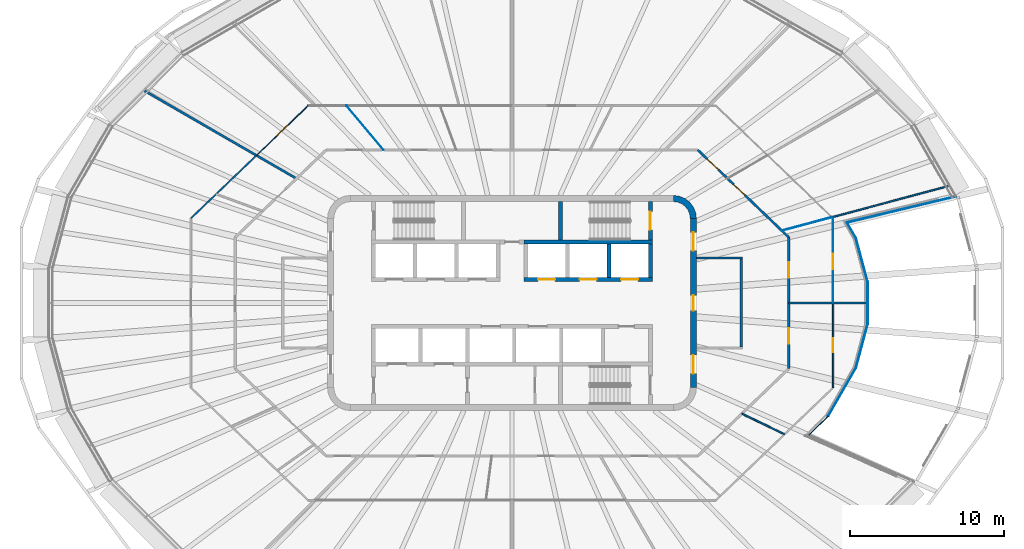
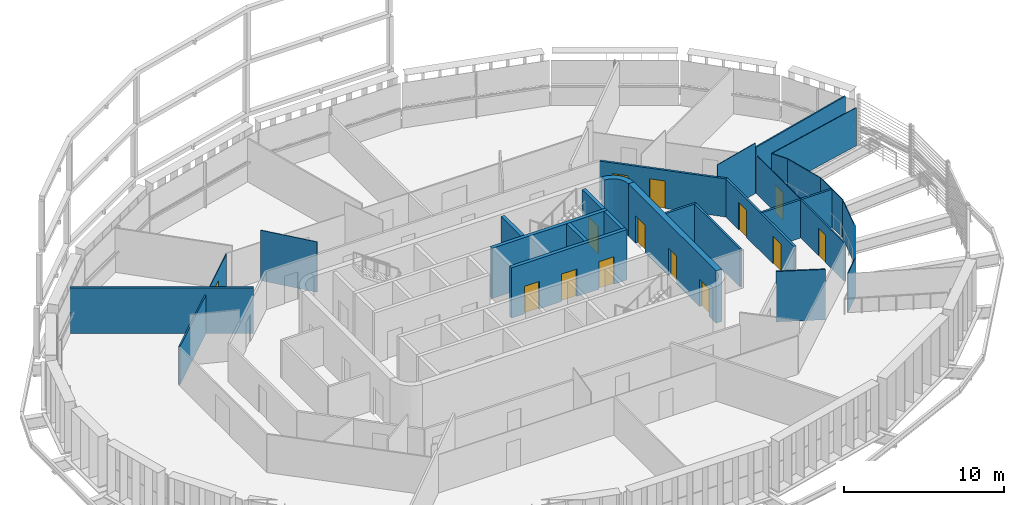
# One storey, part 12 of 21: 29 walls, 14 doors, 14 openings.
"""IFC4 building model written with IfcOpenShell, lengths in metres."""

from ifc_helpers import new_model, si_unit, direction, frame, frame_2d, origin, place, context, subcontext, project, spatial, polyline, rectangle, outline, extrude, material, layer, layer_set, type_object, element, fill, save


model = new_model("IFC4")

# Units and contexts
model_context = context("Model", 3, precision=1e-05, world=origin(), true_north=direction((0.0, 1.0)))
body_context = subcontext(model_context, "Body", "Model", "MODEL_VIEW")
ifc_project = project(units=[si_unit("LENGTHUNIT", "METRE"), si_unit("AREAUNIT", "SQUARE_METRE"), si_unit("VOLUMEUNIT", "CUBIC_METRE"), si_unit("PLANEANGLEUNIT", "RADIAN"), si_unit("MASSUNIT", "GRAM", prefix="KILO")], contexts=[model_context])

# Site, building, storey
site_placement = place(None, origin())
site = spatial("IfcSite", under=ifc_project, at=site_placement, CompositionType="ELEMENT")
building_placement = place(site_placement, origin())
building = spatial("IfcBuilding", under=site, at=building_placement, Name="Sahrelin Media Tower", CompositionType="ELEMENT")
storey_placement = place(building_placement, frame((0.0, 0.0, 263.0)))
storey = spatial("IfcBuildingStorey", under=building, at=storey_placement, Name="L57", CompositionType="ELEMENT", Elevation=263.0)

# Wall, openings, doors
ifc_material_1 = material(Name="Concrete C60/75", Category="concrete")
ifc_layer_1 = layer(ifc_material_1, 0.39990234375)
ifc_layer_set_1 = layer_set([ifc_layer_1], Name="Core wall 400")
wall_type_1 = type_object("IfcWallType", Name="Core wall 400", PredefinedType="SHEAR", material=ifc_layer_set_1)
wall_1_placement = place(storey_placement, frame((11.800048828125, -5.5, 0.0), z_axis=(0.0, 0.0, 1.0), x_axis=(0.0, 1.0, 0.0)))
wall_1 = element("IfcWall", 1, at=wall_1_placement, inside=storey, type_object=wall_type_1, Name="Core wall E L57", PredefinedType="SHEAR", context=body_context, shape_type="SweptSolid", body=[
    extrude(rectangle(XDim=11.0, YDim=0.39990234375, at=frame_2d((5.5, 0.0))), origin(), (0.0, 0.0, 1.0), 4.0),
])
opening_1_placement = place(wall_1_placement, frame((5.0, 0.0, 0.0)))
opening_1 = element("IfcOpeningElement", 2, at=opening_1_placement, cuts=wall_1, Name="Opening L57-D10", PredefinedType="OPENING", context=body_context, shape_type="SweptSolid", body=[
    extrude(rectangle(XDim=1.0, YDim=2.10009765625, at=frame_2d((0.5, 1.050048828125))), frame((0.0, 0.199951171875, 0.0), z_axis=(0.0, -1.0, 0.0), x_axis=(1.0, 0.0, 0.0)), (0.0, 0.0, 1.0), 0.39990234375),
])
opening_2_placement = place(wall_1_placement, frame((0.89990234375, 0.0, 0.0)))
opening_2 = element("IfcOpeningElement", 3, at=opening_2_placement, cuts=wall_1, Name="Opening L57-D13", PredefinedType="OPENING", context=body_context, shape_type="SweptSolid", body=[
    extrude(rectangle(XDim=1.199951171875, YDim=2.10009765625, at=frame_2d((0.60009765625, 1.050048828125))), frame((0.0, 0.199951171875, 0.0), z_axis=(0.0, -1.0, 0.0), x_axis=(1.0, 0.0, 0.0)), (0.0, 0.0, 1.0), 0.39990234375),
])
opening_3_placement = place(wall_1_placement, frame((8.89990234375, 0.0, 0.0)))
opening_3 = element("IfcOpeningElement", 4, at=opening_3_placement, cuts=wall_1, Name="Opening L57-D14", PredefinedType="OPENING", context=body_context, shape_type="SweptSolid", body=[
    extrude(rectangle(XDim=1.199951171875, YDim=2.10009765625, at=frame_2d((0.60009765625, 1.050048828125))), frame((0.0, 0.199951171875, 0.0), z_axis=(0.0, -1.0, 0.0), x_axis=(1.0, 0.0, 0.0)), (0.0, 0.0, 1.0), 0.39990234375),
])
ifc_material_2 = material(Name="Steel fire door leaf", Category="steel")
door_type_1 = type_object("IfcDoorType", Name="Fire door 1000 x 2100 EI 60", OperationType="NOTDEFINED", PredefinedType="DOOR", material=ifc_material_2)
door_1_placement = place(opening_1_placement, origin())
door_1 = element("IfcDoor", 5, at=door_1_placement, inside=storey, type_object=door_type_1, Name="Core room door", OperationType="SINGLE_SWING_RIGHT", OverallHeight=2.10009765625, OverallWidth=1.0, PredefinedType="DOOR", context=body_context, shape_type="SweptSolid", body=[
    extrude(rectangle(XDim=1.0, YDim=2.10009765625, at=frame_2d((0.5, 1.050048828125))), frame((0.0, 0.02490234375, 0.0), z_axis=(0.0, -1.0, 0.0), x_axis=(1.0, 0.0, 0.0)), (0.0, 0.0, 1.0), 0.050048828125),
])
fill(opening_1, door_1)
door_type_2 = type_object("IfcDoorType", Name="Lobby door 1200 x 2100 EI 60", OperationType="NOTDEFINED", PredefinedType="DOOR", material=ifc_material_2)
door_2_placement = place(opening_2_placement, origin())
door_2 = element("IfcDoor", 6, at=door_2_placement, inside=storey, type_object=door_type_2, Name="Lobby door", OperationType="SINGLE_SWING_LEFT", OverallHeight=2.10009765625, OverallWidth=1.199951171875, PredefinedType="DOOR", context=body_context, shape_type="SweptSolid", body=[
    extrude(rectangle(XDim=1.199951171875, YDim=2.10009765625, at=frame_2d((0.60009765625, 1.050048828125))), frame((0.0, 0.02490234375, 0.0), z_axis=(0.0, -1.0, 0.0), x_axis=(1.0, 0.0, 0.0)), (0.0, 0.0, 1.0), 0.050048828125),
])
fill(opening_2, door_2)
door_3_placement = place(opening_3_placement, origin())
door_3 = element("IfcDoor", 7, at=door_3_placement, inside=storey, type_object=door_type_2, Name="Lobby door", OperationType="SINGLE_SWING_LEFT", OverallHeight=2.10009765625, OverallWidth=1.199951171875, PredefinedType="DOOR", context=body_context, shape_type="SweptSolid", body=[
    extrude(rectangle(XDim=1.199951171875, YDim=2.10009765625, at=frame_2d((0.60009765625, 1.050048828125))), frame((0.0, 0.02490234375, 0.0), z_axis=(0.0, -1.0, 0.0), x_axis=(1.0, 0.0, 0.0)), (0.0, 0.0, 1.0), 0.050048828125),
])
fill(opening_3, door_3)

# Walls
wall_2_placement = place(storey_placement, origin())
element("IfcWall", 8, at=wall_2_placement, inside=storey, type_object=wall_type_1, Name="Core wall corner NE L57", PredefinedType="SHEAR", context=body_context, shape_type="SweptSolid", body=[
    extrude(outline(polyline([(10.5, 7.0), (10.5, 6.596435546875), (10.78369140625, 6.55908203125), (11.04833984375, 6.44970703125), (11.275390625, 6.275390625), (11.44970703125, 6.04833984375), (11.55908203125, 5.78369140625), (11.596435546875, 5.5), (12.0, 5.5), (11.948974609375, 5.88818359375), (11.799072265625, 6.25), (11.560791015625, 6.560791015625), (11.25, 6.799072265625), (10.88818359375, 6.948974609375), (10.5, 7.0)])), origin(), (0.0, 0.0, 1.0), 4.0),
])
ifc_material_3 = material(Name="Fire-rated gypsum board partition")
ifc_layer_2 = layer(ifc_material_3, 0.14990234375)
ifc_layer_set_2 = layer_set([ifc_layer_2], Name="Fire-rated partition 150")
wall_type_2 = type_object("IfcWallType", Name="Fire-rated partition 150", PredefinedType="PARTITIONING", material=ifc_layer_set_2)
wall_3_placement = place(storey_placement, frame((14.925048828125, -2.85009765625, 0.0), z_axis=(0.0, 0.0, 1.0), x_axis=(0.0, 1.0, 0.0)))
element("IfcWall", 9, at=wall_3_placement, inside=storey, type_object=wall_type_2, Name="Core room fire partition", PredefinedType="PARTITIONING", context=body_context, shape_type="SweptSolid", body=[
    extrude(rectangle(XDim=5.7001953125, YDim=0.14990234375, at=frame_2d((2.85009765625, 0.0))), origin(), (0.0, 0.0, 1.0), 2.918212890625),
])
wall_4_placement = place(storey_placement, frame((12.0, 2.925048828125, 0.0), z_axis=(0.0, 0.0, 1.0), x_axis=(1.0, 0.0, 0.0)))
element("IfcWall", 10, at=wall_4_placement, inside=storey, type_object=wall_type_2, Name="Core room fire partition", PredefinedType="PARTITIONING", context=body_context, shape_type="SweptSolid", body=[
    extrude(rectangle(XDim=3.0, YDim=0.14990234375, at=frame_2d((1.5, 0.0))), origin(), (0.0, 0.0, 1.0), 2.918212890625),
])

# Wall, openings, doors
wall_5_placement = place(storey_placement, frame((12.094970703125, 9.948974609375, 0.0), z_axis=(0.0, 0.0, 1.0), x_axis=(0.721290181137, -0.692633001376, 0.0)))
wall_5 = element("IfcWall", 11, at=wall_5_placement, inside=storey, type_object=wall_type_2, Name="Wall", PredefinedType="PARTITIONING", context=body_context, shape_type="SweptSolid", body=[
    extrude(rectangle(XDim=8.18701171875, YDim=0.14990234375, at=frame_2d((4.093505859375, 0.0))), origin(), (0.0, 0.0, 1.0), 2.918212890625),
])
opening_4_placement = place(wall_5_placement, frame((3.232177734375, 0.0, 0.0)))
opening_4 = element("IfcOpeningElement", 12, at=opening_4_placement, cuts=wall_5, Name="Opening L57-D35", PredefinedType="OPENING", context=body_context, shape_type="SweptSolid", body=[
    extrude(rectangle(XDim=1.0, YDim=2.10009765625, at=frame_2d((0.5, 1.050048828125))), frame((0.0, 0.074951171875, 0.0), z_axis=(0.0, -1.0, 0.0), x_axis=(1.0, 0.0, 0.0)), (0.0, 0.0, 1.0), 0.14990234375),
])
opening_5_placement = place(wall_5_placement, frame((0.838623046875, 0.0, 0.0)))
opening_5 = element("IfcOpeningElement", 13, at=opening_5_placement, cuts=wall_5, Name="Opening L57-D36", PredefinedType="OPENING", context=body_context, shape_type="SweptSolid", body=[
    extrude(rectangle(XDim=1.0, YDim=2.10009765625, at=frame_2d((0.5, 1.050048828125))), frame((0.0, 0.074951171875, 0.0), z_axis=(0.0, -1.0, 0.0), x_axis=(1.0, 0.0, 0.0)), (0.0, 0.0, 1.0), 0.14990234375),
])
door_4_placement = place(opening_4_placement, origin())
door_4 = element("IfcDoor", 14, at=door_4_placement, inside=storey, type_object=door_type_1, Name="Fire door", OperationType="SINGLE_SWING_LEFT", OverallHeight=2.10009765625, OverallWidth=1.0, PredefinedType="DOOR", context=body_context, shape_type="SweptSolid", body=[
    extrude(rectangle(XDim=1.0, YDim=2.10009765625, at=frame_2d((0.5, 1.050048828125))), frame((0.0, 0.02490234375, 0.0), z_axis=(0.0, -1.0, 0.0), x_axis=(1.0, 0.0, 0.0)), (0.0, 0.0, 1.0), 0.050048828125),
])
fill(opening_4, door_4)
door_5_placement = place(opening_5_placement, origin())
door_5 = element("IfcDoor", 15, at=door_5_placement, inside=storey, type_object=door_type_1, Name="Fire door", OperationType="SINGLE_SWING_LEFT", OverallHeight=2.10009765625, OverallWidth=1.0, PredefinedType="DOOR", context=body_context, shape_type="SweptSolid", body=[
    extrude(rectangle(XDim=1.0, YDim=2.10009765625, at=frame_2d((0.5, 1.050048828125))), frame((0.0, 0.02490234375, 0.0), z_axis=(0.0, -1.0, 0.0), x_axis=(1.0, 0.0, 0.0)), (0.0, 0.0, 1.0), 0.050048828125),
])
fill(opening_5, door_5)

# Walls
wall_6_placement = place(storey_placement, frame((-23.97607421875, 13.843017578125, 0.0), z_axis=(0.0, 0.0, 1.0), x_axis=(0.866017183011, -0.500014238528, 0.0)))
element("IfcWall", 16, at=wall_6_placement, inside=storey, type_object=wall_type_2, Name="Wall", PredefinedType="PARTITIONING", context=body_context, shape_type="SweptSolid", body=[
    extrude(rectangle(XDim=11.491943359375, YDim=0.14990234375, at=frame_2d((5.74609375, 0.0))), origin(), (0.0, 0.0, 1.0), 3.47509765625),
])
wall_7_placement = place(storey_placement, frame((18.0, 0.0, 0.0), z_axis=(0.0, 0.0, 1.0), x_axis=(1.0, 0.0, 0.0)))
element("IfcWall", 17, at=wall_7_placement, inside=storey, type_object=wall_type_2, Name="Wall", PredefinedType="PARTITIONING", context=body_context, shape_type="SweptSolid", body=[
    extrude(rectangle(XDim=5.138916015625, YDim=0.14990234375, at=frame_2d((2.5693359375, 0.0))), origin(), (0.0, 0.0, 1.0), 2.918212890625),
])

# Wall, openings, doors
wall_8_placement = place(storey_placement, frame((18.0, -4.278076171875, 0.0), z_axis=(0.0, 0.0, 1.0), x_axis=(0.0, 1.0, 0.0)))
wall_8 = element("IfcWall", 18, at=wall_8_placement, inside=storey, type_object=wall_type_2, Name="Wall", PredefinedType="PARTITIONING", context=body_context, shape_type="SweptSolid", body=[
    extrude(rectangle(XDim=8.55615234375, YDim=0.14990234375, at=frame_2d((4.278076171875, 0.0))), origin(), (0.0, 0.0, 1.0), 2.918212890625),
])
opening_6_placement = place(wall_8_placement, frame((1.638916015625, 0.0, 0.0)))
opening_6 = element("IfcOpeningElement", 19, at=opening_6_placement, cuts=wall_8, Name="Opening L57-D32", PredefinedType="OPENING", context=body_context, shape_type="SweptSolid", body=[
    extrude(rectangle(XDim=1.0, YDim=2.10009765625, at=frame_2d((0.5, 1.050048828125))), frame((0.0, 0.074951171875, 0.0), z_axis=(0.0, -1.0, 0.0), x_axis=(1.0, 0.0, 0.0)), (0.0, 0.0, 1.0), 0.14990234375),
])
opening_7_placement = place(wall_8_placement, frame((5.9169921875, 0.0, 0.0)))
opening_7 = element("IfcOpeningElement", 20, at=opening_7_placement, cuts=wall_8, Name="Opening L57-D34", PredefinedType="OPENING", context=body_context, shape_type="SweptSolid", body=[
    extrude(rectangle(XDim=1.0, YDim=2.10009765625, at=frame_2d((0.5, 1.050048828125))), frame((0.0, 0.074951171875, 0.0), z_axis=(0.0, -1.0, 0.0), x_axis=(1.0, 0.0, 0.0)), (0.0, 0.0, 1.0), 0.14990234375),
])
door_6_placement = place(opening_6_placement, origin())
door_6 = element("IfcDoor", 21, at=door_6_placement, inside=storey, type_object=door_type_1, Name="Fire door", OperationType="SINGLE_SWING_RIGHT", OverallHeight=2.10009765625, OverallWidth=1.0, PredefinedType="DOOR", context=body_context, shape_type="SweptSolid", body=[
    extrude(rectangle(XDim=1.0, YDim=2.10009765625, at=frame_2d((0.5, 1.050048828125))), frame((0.0, 0.02490234375, 0.0), z_axis=(0.0, -1.0, 0.0), x_axis=(1.0, 0.0, 0.0)), (0.0, 0.0, 1.0), 0.050048828125),
])
fill(opening_6, door_6)
door_7_placement = place(opening_7_placement, origin())
door_7 = element("IfcDoor", 22, at=door_7_placement, inside=storey, type_object=door_type_1, Name="Fire door", OperationType="SINGLE_SWING_LEFT", OverallHeight=2.10009765625, OverallWidth=1.0, PredefinedType="DOOR", context=body_context, shape_type="SweptSolid", body=[
    extrude(rectangle(XDim=1.0, YDim=2.10009765625, at=frame_2d((0.5, 1.050048828125))), frame((0.0, 0.02490234375, 0.0), z_axis=(0.0, -1.0, 0.0), x_axis=(1.0, 0.0, 0.0)), (0.0, 0.0, 1.0), 0.050048828125),
])
fill(opening_7, door_7)

# Walls
ifc_material_4 = material(Name="Clear glass", Category="glass")
ifc_layer_3 = layer(ifc_material_4, 0.050048828125)
ifc_layer_set_3 = layer_set([ifc_layer_3], Name="Glazed partition 50")
wall_type_3 = type_object("IfcWallType", Name="Glazed partition 50", PredefinedType="PARTITIONING", material=ifc_layer_set_3)
wall_9_placement = place(storey_placement, frame((22.3740234375, 4.22900390625, 0.0), z_axis=(0.0, 0.0, 1.0), x_axis=(0.258871000297, -0.965911903439, 0.0)))
element("IfcWall", 23, at=wall_9_placement, inside=storey, type_object=wall_type_3, Name="Wall", PredefinedType="PARTITIONING", context=body_context, shape_type="SweptSolid", body=[
    extrude(rectangle(XDim=2.954833984375, YDim=0.050048828125, at=frame_2d((1.4775390625, 0.0))), origin(), (0.0, 0.0, 1.0), 2.918212890625),
])
wall_10_placement = place(storey_placement, frame((21.797119140625, 5.22802734375, 0.0), z_axis=(0.0, 0.0, 1.0), x_axis=(0.500076612374, -0.865981167091, 0.0)))
element("IfcWall", 24, at=wall_10_placement, inside=storey, type_object=wall_type_3, Name="Wall", PredefinedType="PARTITIONING", context=body_context, shape_type="SweptSolid", body=[
    extrude(rectangle(XDim=1.153564453125, YDim=0.050048828125, at=frame_2d((0.57666015625, 0.0))), origin(), (0.0, 0.0, 1.0), 2.918212890625),
])
wall_11_placement = place(storey_placement, frame((-10.77294921875, 12.839111328125, 0.0), z_axis=(0.0, 0.0, 1.0), x_axis=(0.642777681898, -0.766052773413, 0.0)))
element("IfcWall", 25, at=wall_11_placement, inside=storey, type_object=wall_type_3, Name="Wall", PredefinedType="PARTITIONING", context=body_context, shape_type="SweptSolid", body=[
    extrude(rectangle(XDim=3.772705078125, YDim=0.050048828125, at=frame_2d((1.88623046875, 0.0))), origin(), (0.0, 0.0, 1.0), 3.85009765625),
])
wall_12_placement = place(storey_placement, frame((21.797119140625, 5.22802734375, 0.0), z_axis=(0.0, 0.0, 1.0), x_axis=(0.972420983146, 0.233232569631, 0.0)))
element("IfcWall", 26, at=wall_12_placement, inside=storey, type_object=wall_type_3, Name="Wall", PredefinedType="PARTITIONING", context=body_context, shape_type="SweptSolid", body=[
    extrude(rectangle(XDim=7.30126953125, YDim=0.050048828125, at=frame_2d((3.650634765625, 0.0))), origin(), (0.0, 0.0, 1.0), 2.918212890625),
])
wall_13_placement = place(storey_placement, frame((17.555908203125, 4.7041015625, 0.0), z_axis=(0.0, 0.0, 1.0), x_axis=(0.965949987261, 0.258728858285, 0.0)))
element("IfcWall", 27, at=wall_13_placement, inside=storey, type_object=wall_type_3, Name="Wall", PredefinedType="PARTITIONING", context=body_context, shape_type="SweptSolid", body=[
    extrude(rectangle(XDim=3.377197265625, YDim=0.050048828125, at=frame_2d((1.6884765625, 0.0))), origin(), (0.0, 0.0, 1.0), 3.85009765625),
])

# Wall, opening, door
wall_14_placement = place(storey_placement, frame((-16.62890625, 9.60107421875, 0.0), z_axis=(0.0, 0.0, 1.0), x_axis=(0.721171224294, 0.692756858681, 0.0)))
wall_14 = element("IfcWall", 28, at=wall_14_placement, inside=storey, type_object=wall_type_3, Name="Wall", PredefinedType="PARTITIONING", context=body_context, shape_type="SweptSolid", body=[
    extrude(rectangle(XDim=4.674072265625, YDim=0.050048828125, at=frame_2d((2.3369140625, 0.0))), origin(), (0.0, 0.0, 1.0), 2.927001953125),
])
opening_8_placement = place(wall_14_placement, frame((1.837158203125, 0.0, 0.0)))
opening_8 = element("IfcOpeningElement", 29, at=opening_8_placement, cuts=wall_14, Name="Opening L57-D20", PredefinedType="OPENING", context=body_context, shape_type="SweptSolid", body=[
    extrude(rectangle(XDim=1.0, YDim=2.10009765625, at=frame_2d((0.5, 1.050048828125))), frame((0.0, 0.02490234375, 0.0), z_axis=(0.0, -1.0, 0.0), x_axis=(1.0, 0.0, 0.0)), (0.0, 0.0, 1.0), 0.050048828125),
])
door_type_3 = type_object("IfcDoorType", Name="Glazed door 1000 x 2100", OperationType="NOTDEFINED", PredefinedType="DOOR", material=ifc_material_4)
door_8_placement = place(opening_8_placement, origin())
door_8 = element("IfcDoor", 30, at=door_8_placement, inside=storey, type_object=door_type_3, Name="Glazed door", OperationType="SINGLE_SWING_LEFT", OverallHeight=2.10009765625, OverallWidth=1.0, PredefinedType="DOOR", context=body_context, shape_type="SweptSolid", body=[
    extrude(rectangle(XDim=1.0, YDim=2.10009765625, at=frame_2d((0.5, 1.050048828125))), frame((0.0, 0.02490234375, 0.0), z_axis=(0.0, -1.0, 0.0), x_axis=(1.0, 0.0, 0.0)), (0.0, 0.0, 1.0), 0.049560546875),
])
fill(opening_8, door_8)

# Walls
wall_15_placement = place(storey_placement, frame((19.324951171875, -8.593994140625, 0.0), z_axis=(0.0, 0.0, 1.0), x_axis=(0.707106781187, 0.707106781187, 0.0)))
element("IfcWall", 31, at=wall_15_placement, inside=storey, type_object=wall_type_3, Name="Wall", PredefinedType="PARTITIONING", context=body_context, shape_type="SweptSolid", body=[
    extrude(rectangle(XDim=1.76904296875, YDim=0.050048828125, at=frame_2d((0.884521484375, 0.0))), origin(), (0.0, 0.0, 1.0), 2.9951171875),
])
wall_16_placement = place(storey_placement, frame((20.575927734375, -7.343017578125, 0.0), z_axis=(0.0, 0.0, 1.0), x_axis=(0.500045691691, 0.865999022067, 0.0)))
element("IfcWall", 32, at=wall_16_placement, inside=storey, type_object=wall_type_3, Name="Wall", PredefinedType="PARTITIONING", context=body_context, shape_type="SweptSolid", body=[
    extrude(rectangle(XDim=3.595947265625, YDim=0.050048828125, at=frame_2d((1.7978515625, 0.0))), origin(), (0.0, 0.0, 1.0), 2.918212890625),
])
wall_17_placement = place(storey_placement, frame((22.3740234375, -4.22900390625, 0.0), z_axis=(0.0, 0.0, 1.0), x_axis=(0.258871000297, 0.965911903439, 0.0)))
element("IfcWall", 33, at=wall_17_placement, inside=storey, type_object=wall_type_3, Name="Wall", PredefinedType="PARTITIONING", context=body_context, shape_type="SweptSolid", body=[
    extrude(rectangle(XDim=2.954833984375, YDim=0.050048828125, at=frame_2d((1.4775390625, 0.0))), origin(), (0.0, 0.0, 1.0), 2.918212890625),
])
wall_18_placement = place(storey_placement, frame((23.138916015625, -1.375, 0.0), z_axis=(0.0, 0.0, 1.0), x_axis=(0.0, 1.0, 0.0)))
element("IfcWall", 34, at=wall_18_placement, inside=storey, type_object=wall_type_3, Name="Wall", PredefinedType="PARTITIONING", context=body_context, shape_type="SweptSolid", body=[
    extrude(rectangle(XDim=2.75, YDim=0.050048828125, at=frame_2d((1.375, 0.0))), origin(), (0.0, 0.0, 1.0), 2.918212890625),
])

# Wall, opening, door
wall_19_placement = place(storey_placement, frame((20.889892578125, 0.0, 0.0), z_axis=(0.0, 0.0, 1.0), x_axis=(0.0, 1.0, 0.0)))
wall_19 = element("IfcWall", 35, at=wall_19_placement, inside=storey, type_object=wall_type_3, Name="Wall", PredefinedType="PARTITIONING", context=body_context, shape_type="SweptSolid", body=[
    extrude(rectangle(XDim=5.509033203125, YDim=0.050048828125, at=frame_2d((2.75439453125, 0.0))), origin(), (0.0, 0.0, 1.0), 2.918212890625),
])
opening_9_placement = place(wall_19_placement, frame((2.204345703125, 0.0, 0.0)))
opening_9 = element("IfcOpeningElement", 36, at=opening_9_placement, cuts=wall_19, Name="Opening L57-D37", PredefinedType="OPENING", context=body_context, shape_type="SweptSolid", body=[
    extrude(rectangle(XDim=1.0, YDim=2.10009765625, at=frame_2d((0.5, 1.050048828125))), frame((0.0, 0.02490234375, 0.0), z_axis=(0.0, -1.0, 0.0), x_axis=(1.0, 0.0, 0.0)), (0.0, 0.0, 1.0), 0.050048828125),
])
door_9_placement = place(opening_9_placement, origin())
door_9 = element("IfcDoor", 37, at=door_9_placement, inside=storey, type_object=door_type_3, Name="Glazed door", OperationType="SINGLE_SWING_RIGHT", OverallHeight=2.10009765625, OverallWidth=1.0, PredefinedType="DOOR", context=body_context, shape_type="SweptSolid", body=[
    extrude(rectangle(XDim=1.0, YDim=2.10009765625, at=frame_2d((0.5, 1.050048828125))), frame((0.0, 0.02490234375, 0.0), z_axis=(0.0, -1.0, 0.0), x_axis=(1.0, 0.0, 0.0)), (0.0, 0.0, 1.0), 0.049560546875),
])
fill(opening_9, door_9)

# Wall, openings, doors
ifc_layer_4 = layer(ifc_material_1, 0.25)
ifc_layer_set_4 = layer_set([ifc_layer_4], Name="Lift shaft wall 250")
wall_type_4 = type_object("IfcWallType", Name="Lift shaft wall 250", PredefinedType="SOLIDWALL", material=ifc_layer_set_4)
wall_20_placement = place(storey_placement, frame((0.77490234375, 1.52490234375, 0.0), z_axis=(0.0, 0.0, 1.0), x_axis=(1.0, 0.0, 0.0)))
wall_20 = element("IfcWall", 38, at=wall_20_placement, inside=storey, type_object=wall_type_4, Name="Lift shaft wall", PredefinedType="SOLIDWALL", context=body_context, shape_type="SweptSolid", body=[
    extrude(rectangle(XDim=8.35009765625, YDim=0.25, at=frame_2d((4.175048828125, 0.0))), origin(), (0.0, 0.0, 1.0), 3.85009765625),
])
opening_10_placement = place(wall_20_placement, frame((0.925048828125, 0.0, 0.0)))
opening_10 = element("IfcOpeningElement", 39, at=opening_10_placement, cuts=wall_20, Name="Opening L57-LD-HR4", PredefinedType="OPENING", context=body_context, shape_type="SweptSolid", body=[
    extrude(rectangle(XDim=1.10009765625, YDim=2.10009765625, at=frame_2d((0.550048828125, 1.050048828125))), frame((0.0, 0.125, 0.0), z_axis=(0.0, -1.0, 0.0), x_axis=(1.0, 0.0, 0.0)), (0.0, 0.0, 1.0), 0.25),
])
opening_11_placement = place(wall_20_placement, frame((3.625, 0.0, 0.0)))
opening_11 = element("IfcOpeningElement", 40, at=opening_11_placement, cuts=wall_20, Name="Opening L57-LD-HR5", PredefinedType="OPENING", context=body_context, shape_type="SweptSolid", body=[
    extrude(rectangle(XDim=1.10009765625, YDim=2.10009765625, at=frame_2d((0.550048828125, 1.050048828125))), frame((0.0, 0.125, 0.0), z_axis=(0.0, -1.0, 0.0), x_axis=(1.0, 0.0, 0.0)), (0.0, 0.0, 1.0), 0.25),
])
opening_12_placement = place(wall_20_placement, frame((6.324951171875, 0.0, 0.0)))
opening_12 = element("IfcOpeningElement", 41, at=opening_12_placement, cuts=wall_20, Name="Opening L57-LD-HR6", PredefinedType="OPENING", context=body_context, shape_type="SweptSolid", body=[
    extrude(rectangle(XDim=1.10009765625, YDim=2.10009765625, at=frame_2d((0.550048828125, 1.050048828125))), frame((0.0, 0.125, 0.0), z_axis=(0.0, -1.0, 0.0), x_axis=(1.0, 0.0, 0.0)), (0.0, 0.0, 1.0), 0.25),
])
ifc_material_5 = material(Name="Stainless steel", Category="steel")
door_type_4 = type_object("IfcDoorType", Name="Lift landing door 1100 x 2100 EI 120", OperationType="DOUBLE_DOOR_SLIDING", PredefinedType="DOOR", material=ifc_material_5)
door_10_placement = place(opening_10_placement, origin())
door_10 = element("IfcDoor", 42, at=door_10_placement, inside=storey, type_object=door_type_4, Name="Lift landing door HR4", OperationType="DOUBLE_DOOR_SLIDING", OverallHeight=2.10009765625, OverallWidth=1.10009765625, PredefinedType="DOOR", context=body_context, shape_type="SweptSolid", body=[
    extrude(rectangle(XDim=1.10009765625, YDim=2.10009765625, at=frame_2d((0.550048828125, 1.050048828125))), frame((0.0, 0.02490234375, 0.0), z_axis=(0.0, -1.0, 0.0), x_axis=(1.0, 0.0, 0.0)), (0.0, 0.0, 1.0), 0.050048828125),
])
fill(opening_10, door_10)
door_11_placement = place(opening_11_placement, origin())
door_11 = element("IfcDoor", 43, at=door_11_placement, inside=storey, type_object=door_type_4, Name="Lift landing door HR5", OperationType="DOUBLE_DOOR_SLIDING", OverallHeight=2.10009765625, OverallWidth=1.10009765625, PredefinedType="DOOR", context=body_context, shape_type="SweptSolid", body=[
    extrude(rectangle(XDim=1.10009765625, YDim=2.10009765625, at=frame_2d((0.550048828125, 1.050048828125))), frame((0.0, 0.02490234375, 0.0), z_axis=(0.0, -1.0, 0.0), x_axis=(1.0, 0.0, 0.0)), (0.0, 0.0, 1.0), 0.050048828125),
])
fill(opening_11, door_11)
door_12_placement = place(opening_12_placement, origin())
door_12 = element("IfcDoor", 44, at=door_12_placement, inside=storey, type_object=door_type_4, Name="Lift landing door HR6", OperationType="DOUBLE_DOOR_SLIDING", OverallHeight=2.10009765625, OverallWidth=1.10009765625, PredefinedType="DOOR", context=body_context, shape_type="SweptSolid", body=[
    extrude(rectangle(XDim=1.10009765625, YDim=2.10009765625, at=frame_2d((0.550048828125, 1.050048828125))), frame((0.0, 0.02490234375, 0.0), z_axis=(0.0, -1.0, 0.0), x_axis=(1.0, 0.0, 0.0)), (0.0, 0.0, 1.0), 0.050048828125),
])
fill(opening_12, door_12)

# Walls
wall_21_placement = place(storey_placement, frame((0.77490234375, 3.97509765625, 0.0), z_axis=(0.0, 0.0, 1.0), x_axis=(1.0, 0.0, 0.0)))
element("IfcWall", 45, at=wall_21_placement, inside=storey, type_object=wall_type_4, Name="Lift shaft wall", PredefinedType="SOLIDWALL", context=body_context, shape_type="SweptSolid", body=[
    extrude(rectangle(XDim=8.35009765625, YDim=0.25, at=frame_2d((4.175048828125, 0.0))), origin(), (0.0, 0.0, 1.0), 3.85009765625),
])
for number, where, z_axis, x_axis, name in (
    (46, (9.0, 1.64990234375, 0.0), (0.0, 0.0, 1.0), (0.0, 1.0, 0.0), "Lift shaft wall"),
    (47, (6.300048828125, 1.64990234375, 0.0), (0.0, 0.0, 1.0), (0.0, 1.0, 0.0), "Lift shaft wall"),
):
    element("IfcWall", number, at=place(storey_placement, frame(where, z_axis=z_axis, x_axis=x_axis)), inside=storey, type_object=wall_type_4, Name=name, PredefinedType="SOLIDWALL", context=body_context, shape_type="SweptSolid", body=[
        extrude(rectangle(XDim=2.2001953125, YDim=0.25, at=frame_2d((1.10009765625, 0.0))), origin(), (0.0, 0.0, 1.0), 3.85009765625),
    ])
ifc_material_6 = material(Name="Gypsum board partition")
ifc_layer_5 = layer(ifc_material_6, 0.10009765625)
ifc_layer_set_5 = layer_set([ifc_layer_5], Name="Partition 100")
wall_type_5 = type_object("IfcWallType", Name="Partition 100", PredefinedType="PARTITIONING", material=ifc_layer_set_5)
wall_22_placement = place(storey_placement, frame((14.955078125, -7.201904296875, 0.0), z_axis=(0.0, 0.0, 1.0), x_axis=(0.900977603602, -0.433865598783, 0.0)))
element("IfcWall", 48, at=wall_22_placement, inside=storey, type_object=wall_type_5, Name="Wall", PredefinedType="PARTITIONING", context=body_context, shape_type="SweptSolid", body=[
    extrude(rectangle(XDim=3.084228515625, YDim=0.10009765625, at=frame_2d((1.5419921875, 0.0))), origin(), (0.0, 0.0, 1.0), 3.85009765625),
])
wall_23_placement = place(storey_placement, frame((20.818115234375, 5.577880859375, 0.0), z_axis=(0.0, 0.0, 1.0), x_axis=(0.965918966196, 0.258844645962, 0.0)))
element("IfcWall", 49, at=wall_23_placement, inside=storey, type_object=wall_type_5, Name="Wall", PredefinedType="PARTITIONING", context=body_context, shape_type="SweptSolid", body=[
    extrude(rectangle(XDim=7.943603515625, YDim=0.10009765625, at=frame_2d((3.9716796875, 0.0))), origin(), (0.0, 0.0, 1.0), 3.526611328125),
])
wall_24_placement = place(storey_placement, frame((-20.889892578125, 5.509033203125, 0.0), z_axis=(0.0, 0.0, 1.0), x_axis=(0.721443476428, 0.692473328237, 0.0)))
element("IfcWall", 50, at=wall_24_placement, inside=storey, type_object=wall_type_5, Name="Wall", PredefinedType="PARTITIONING", context=body_context, shape_type="SweptSolid", body=[
    extrude(rectangle(XDim=5.907470703125, YDim=0.10009765625, at=frame_2d((2.95361328125, 0.0))), origin(), (0.0, 0.0, 1.0), 2.927001953125),
])

# Wall, opening, door
wall_25_placement = place(storey_placement, frame((20.889892578125, -5.509033203125, 0.0), z_axis=(0.0, 0.0, 1.0), x_axis=(0.0, 1.0, 0.0)))
wall_25 = element("IfcWall", 51, at=wall_25_placement, inside=storey, type_object=wall_type_5, Name="Wall", PredefinedType="PARTITIONING", context=body_context, shape_type="SweptSolid", body=[
    extrude(rectangle(XDim=5.509033203125, YDim=0.10009765625, at=frame_2d((2.75439453125, 0.0))), origin(), (0.0, 0.0, 1.0), 2.918212890625),
])
opening_13_placement = place(wall_25_placement, frame((2.304443359375, 0.0, 0.0)))
opening_13 = element("IfcOpeningElement", 52, at=opening_13_placement, cuts=wall_25, Name="Opening L57-D33", PredefinedType="OPENING", context=body_context, shape_type="SweptSolid", body=[
    extrude(rectangle(XDim=0.89990234375, YDim=2.10009765625, at=frame_2d((0.449951171875, 1.050048828125))), frame((0.0, 0.050048828125, 0.0), z_axis=(0.0, -1.0, 0.0), x_axis=(1.0, 0.0, 0.0)), (0.0, 0.0, 1.0), 0.10009765625),
])
ifc_material_7 = material(Name="Timber door leaf", Category="wood")
door_type_5 = type_object("IfcDoorType", Name="Single door 900 x 2100", OperationType="NOTDEFINED", PredefinedType="DOOR", material=ifc_material_7)
door_13_placement = place(opening_13_placement, origin())
door_13 = element("IfcDoor", 53, at=door_13_placement, inside=storey, type_object=door_type_5, Name="Single door", OperationType="SINGLE_SWING_LEFT", OverallHeight=2.10009765625, OverallWidth=0.89990234375, PredefinedType="DOOR", context=body_context, shape_type="SweptSolid", body=[
    extrude(rectangle(XDim=0.89990234375, YDim=2.10009765625, at=frame_2d((0.449951171875, 1.050048828125))), frame((0.0, 0.02490234375, 0.0), z_axis=(0.0, -1.0, 0.0), x_axis=(1.0, 0.0, 0.0)), (0.0, 0.0, 1.0), 0.050048828125),
])
fill(opening_13, door_13)

ifc_layer_6 = layer(ifc_material_1, 0.25)
ifc_layer_set_6 = layer_set([ifc_layer_6], Name="Stair enclosure wall 250")
wall_type_6 = type_object("IfcWallType", Name="Stair enclosure wall 250", PredefinedType="SOLIDWALL", material=ifc_layer_set_6)
wall_26_placement = place(storey_placement, frame((9.0, 4.10009765625, 0.0), z_axis=(0.0, 0.0, 1.0), x_axis=(0.0, 1.0, 0.0)))
wall_26 = element("IfcWall", 54, at=wall_26_placement, inside=storey, type_object=wall_type_6, Name="Stair enclosure wall", PredefinedType="SOLIDWALL", context=body_context, shape_type="SweptSolid", body=[
    extrude(rectangle(XDim=2.5, YDim=0.25, at=frame_2d((1.25, 0.0))), origin(), (0.0, 0.0, 1.0), 3.85009765625),
])
opening_14_placement = place(wall_26_placement, frame((0.64990234375, 0.0, 0.0)))
opening_14 = element("IfcOpeningElement", 55, at=opening_14_placement, cuts=wall_26, Name="Opening L57-D02", PredefinedType="OPENING", context=body_context, shape_type="SweptSolid", body=[
    extrude(rectangle(XDim=1.199951171875, YDim=2.10009765625, at=frame_2d((0.60009765625, 1.050048828125))), frame((0.0, 0.125, 0.0), z_axis=(0.0, -1.0, 0.0), x_axis=(1.0, 0.0, 0.0)), (0.0, 0.0, 1.0), 0.25),
])
door_type_6 = type_object("IfcDoorType", Name="Stair door 1200 x 2100 EI 120", OperationType="NOTDEFINED", PredefinedType="DOOR", material=ifc_material_2)
door_14_placement = place(opening_14_placement, origin())
door_14 = element("IfcDoor", 56, at=door_14_placement, inside=storey, type_object=door_type_6, Name="Stair door ST3", OperationType="SINGLE_SWING_LEFT", OverallHeight=2.10009765625, OverallWidth=1.199951171875, PredefinedType="DOOR", context=body_context, shape_type="SweptSolid", body=[
    extrude(rectangle(XDim=1.199951171875, YDim=2.10009765625, at=frame_2d((0.60009765625, 1.050048828125))), frame((0.0, 0.02490234375, 0.0), z_axis=(0.0, -1.0, 0.0), x_axis=(1.0, 0.0, 0.0)), (0.0, 0.0, 1.0), 0.050048828125),
])
fill(opening_14, door_14)

# Wall
wall_27_placement = place(storey_placement, frame((3.14990234375, 4.10009765625, 0.0), z_axis=(0.0, 0.0, 1.0), x_axis=(0.0, 1.0, 0.0)))
element("IfcWall", 57, at=wall_27_placement, inside=storey, type_object=wall_type_6, Name="Stair enclosure wall", PredefinedType="SOLIDWALL", context=body_context, shape_type="SweptSolid", body=[
    extrude(rectangle(XDim=2.5, YDim=0.25, at=frame_2d((1.25, 0.0))), origin(), (0.0, 0.0, 1.0), 3.85009765625),
])

save(model, "model.ifc")
